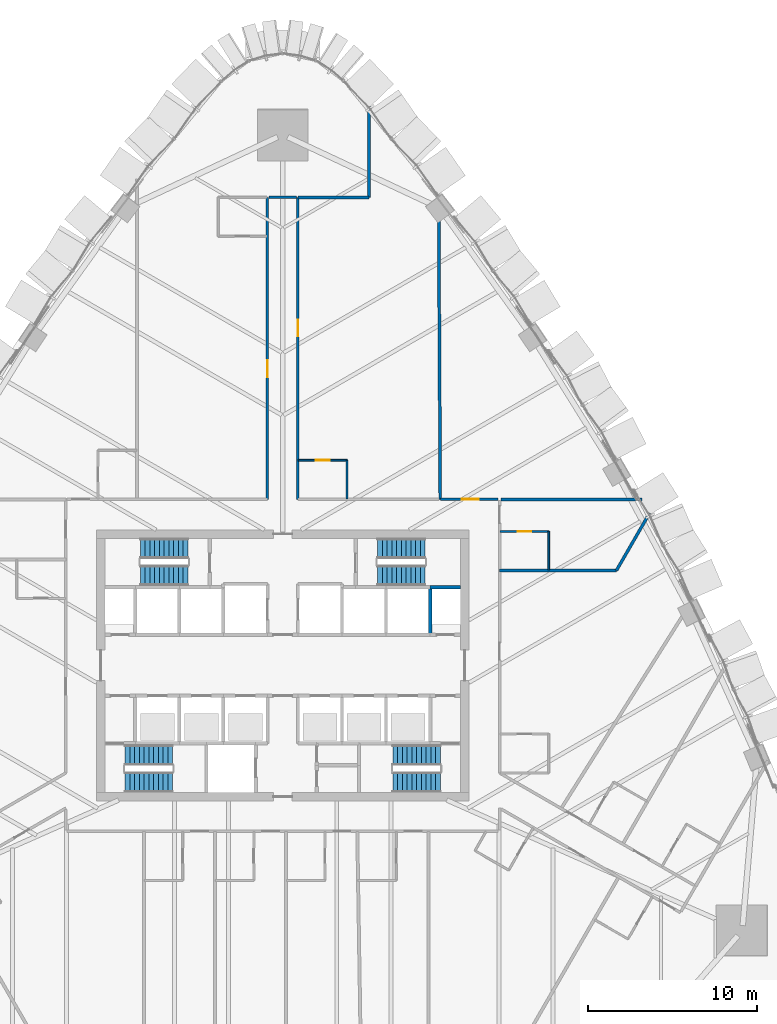
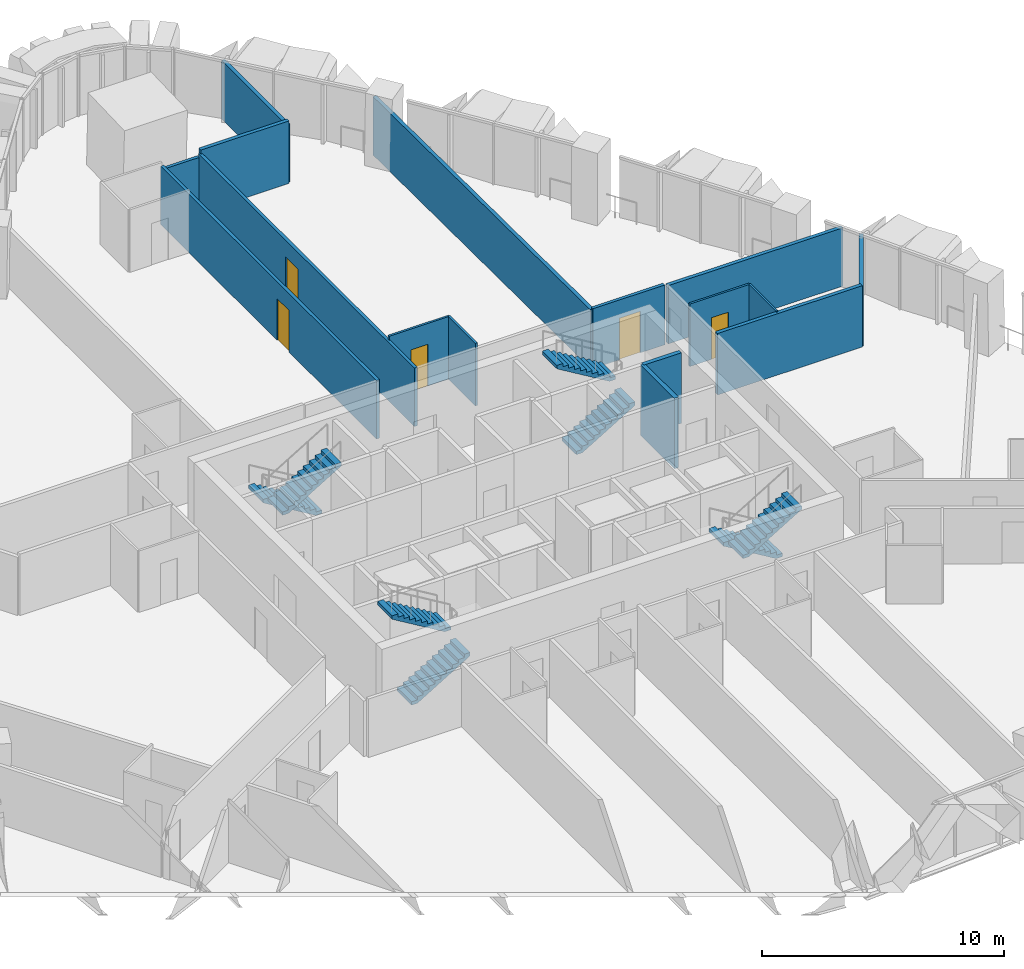
# One storey, part 18 of 23: 16 walls, 8 stair flights, 5 doors, 5 openings, 4 elements without a shape of their own.
"""IFC4 building model written with IfcOpenShell, lengths in metres."""

from ifc_helpers import new_model, si_unit, direction, frame, frame_2d, origin, place, context, subcontext, project, spatial, polyline, rectangle, outline, extrude, material, layer, layer_set, type_object, element, fill, aggregate, save


model = new_model("IFC4")

# Units and contexts
model_context = context("Model", 3, precision=1e-05, world=origin(), true_north=direction((0.0, 1.0)))
body_context = subcontext(model_context, "Body", "Model", "MODEL_VIEW")
ifc_project = project(units=[si_unit("LENGTHUNIT", "METRE"), si_unit("AREAUNIT", "SQUARE_METRE"), si_unit("VOLUMEUNIT", "CUBIC_METRE"), si_unit("PLANEANGLEUNIT", "RADIAN"), si_unit("MASSUNIT", "GRAM", prefix="KILO")], contexts=[model_context])

# Site, building, storey
site_placement = place(None, origin())
site = spatial("IfcSite", under=ifc_project, at=site_placement, CompositionType="ELEMENT")
building_placement = place(site_placement, origin())
building = spatial("IfcBuilding", under=site, at=building_placement, Name="Sierra Prisma Convention Tower", CompositionType="ELEMENT")
storey_placement = place(building_placement, frame((0.0, 0.0, 51.699951171875)))
storey = spatial("IfcBuildingStorey", under=building, at=storey_placement, Name="L08", CompositionType="ELEMENT", Elevation=51.699951171875)

# Wall, opening, door
ifc_material_1 = material(Name="Gypsum board partition", Category="gypsum")
ifc_layer_1 = layer(ifc_material_1, 0.10009765625)
ifc_layer_set_1 = layer_set([ifc_layer_1], Name="Bathroom partition 100")
wall_type_1 = type_object("IfcWallType", Name="Bathroom partition 100", PredefinedType="PARTITIONING", material=ifc_layer_set_1)
wall_1_placement = place(storey_placement, frame((0.929931640625, 12.10009765625, 0.0), z_axis=(0.0, 0.0, 1.0), x_axis=(1.0, 0.0, 0.0)))
wall_1 = element("IfcWall", 1, at=wall_1_placement, inside=storey, type_object=wall_type_1, Name="Partition L08 bath 21", PredefinedType="PARTITIONING", context=body_context, shape_type="SweptSolid", body=[
    extrude(rectangle(XDim=2.8701171875, YDim=0.10009765625, at=frame_2d((1.43505859375, 0.0))), origin(), (0.0, 0.0, 1.0), 3.150146484375),
])
opening_1_placement = place(wall_1_placement, frame((1.034912109375, 0.0, 0.0)))
opening_1 = element("IfcOpeningElement", 2, at=opening_1_placement, cuts=wall_1, Name="Opening L08-D003", PredefinedType="OPENING", context=body_context, shape_type="SweptSolid", body=[
    extrude(rectangle(XDim=0.800048828125, YDim=2.10009765625, at=frame_2d((0.39990234375, 1.050048828125))), frame((0.0, 0.050048828125, 0.0), z_axis=(0.0, -1.0, 0.0), x_axis=(1.0, 0.0, 0.0)), (0.0, 0.0, 1.0), 0.10009765625),
])
ifc_material_2 = material(Name="Solid core timber door leaf", Category="wood")
door_type_1 = type_object("IfcDoorType", Name="Door 800x2100 plain", OperationType="SINGLE_SWING_LEFT", PredefinedType="DOOR", material=ifc_material_2)
door_1_placement = place(opening_1_placement, origin())
door_1 = element("IfcDoor", 3, at=door_1_placement, inside=storey, type_object=door_type_1, Name="Door L08 7", OperationType="SINGLE_SWING_RIGHT", OverallHeight=2.10009765625, OverallWidth=0.800048828125, PredefinedType="DOOR", context=body_context, shape_type="SweptSolid", body=[
    extrude(rectangle(XDim=0.800048828125, YDim=2.10009765625, at=frame_2d((0.39990234375, 1.050048828125))), frame((0.0, 0.02490234375, 0.0), z_axis=(0.0, -1.0, 0.0), x_axis=(1.0, 0.0, 0.0)), (0.0, 0.0, 1.0), 0.050048828125),
])
fill(opening_1, door_1)

# Wall
wall_2_placement = place(storey_placement, frame((3.800048828125, 12.10009765625, 0.0), z_axis=(0.0, 0.0, 1.0), x_axis=(0.0, -1.0, 0.0)))
element("IfcWall", 4, at=wall_2_placement, inside=storey, type_object=wall_type_1, Name="Partition L08 bath 22", PredefinedType="PARTITIONING", context=body_context, shape_type="SweptSolid", body=[
    extrude(rectangle(XDim=2.27001953125, YDim=0.10009765625, at=frame_2d((1.135009765625, 0.0))), origin(), (0.0, 0.0, 1.0), 3.150146484375),
])

# Wall, opening, door
wall_3_placement = place(storey_placement, frame((12.830078125, 7.89990234375, 0.0), z_axis=(0.0, 0.0, 1.0), x_axis=(1.0, 0.0, 0.0)))
wall_3 = element("IfcWall", 5, at=wall_3_placement, inside=storey, type_object=wall_type_1, Name="Partition L08 bath 31", PredefinedType="PARTITIONING", context=body_context, shape_type="SweptSolid", body=[
    extrude(rectangle(XDim=2.869873046875, YDim=0.10009765625, at=frame_2d((1.43505859375, 0.0))), origin(), (0.0, 0.0, 1.0), 3.150146484375),
])
opening_2_placement = place(wall_3_placement, frame((1.034912109375, 0.0, 0.0)))
opening_2 = element("IfcOpeningElement", 6, at=opening_2_placement, cuts=wall_3, Name="Opening L08-D002", PredefinedType="OPENING", context=body_context, shape_type="SweptSolid", body=[
    extrude(rectangle(XDim=0.800048828125, YDim=2.10009765625, at=frame_2d((0.39990234375, 1.050048828125))), frame((0.0, 0.050048828125, 0.0), z_axis=(0.0, -1.0, 0.0), x_axis=(1.0, 0.0, 0.0)), (0.0, 0.0, 1.0), 0.10009765625),
])
door_2_placement = place(opening_2_placement, origin())
door_2 = element("IfcDoor", 7, at=door_2_placement, inside=storey, type_object=door_type_1, Name="Door L08 4", OperationType="SINGLE_SWING_RIGHT", OverallHeight=2.10009765625, OverallWidth=0.800048828125, PredefinedType="DOOR", context=body_context, shape_type="SweptSolid", body=[
    extrude(rectangle(XDim=0.800048828125, YDim=2.10009765625, at=frame_2d((0.39990234375, 1.050048828125))), frame((0.0, 0.02490234375, 0.0), z_axis=(0.0, -1.0, 0.0), x_axis=(1.0, 0.0, 0.0)), (0.0, 0.0, 1.0), 0.050048828125),
])
fill(opening_2, door_2)

# Walls
wall_4_placement = place(storey_placement, frame((15.699951171875, 7.89990234375, 0.0), z_axis=(0.0, 0.0, 1.0), x_axis=(0.0, -1.0, 0.0)))
element("IfcWall", 8, at=wall_4_placement, inside=storey, type_object=wall_type_1, Name="Partition L08 bath 32", PredefinedType="PARTITIONING", context=body_context, shape_type="SweptSolid", body=[
    extrude(rectangle(XDim=2.27001953125, YDim=0.10009765625, at=frame_2d((1.135009765625, 0.0))), origin(), (0.0, 0.0, 1.0), 3.150146484375),
])
ifc_material_3 = material(Name="Concrete C30/37", Category="concrete")
ifc_layer_2 = layer(ifc_material_3, 0.199951171875)
ifc_layer_set_2 = layer_set([ifc_layer_2], Name="Core wall RC 200 C30/37")
wall_type_2 = type_object("IfcWallType", Name="Core wall RC 200 C30/37", PredefinedType="SOLIDWALL", material=ifc_layer_set_2)
wall_5_placement = place(storey_placement, frame((8.699951171875, 4.60009765625, 0.0), z_axis=(0.0, 0.0, 1.0), x_axis=(0.0, -1.0, 0.0)))
element("IfcWall", 9, at=wall_5_placement, inside=storey, type_object=wall_type_2, Name="Core wall L08 66", PredefinedType="SOLIDWALL", context=body_context, shape_type="SweptSolid", body=[
    extrude(rectangle(XDim=2.800048828125, YDim=0.199951171875, at=frame_2d((1.39990234375, 0.0))), origin(), (0.0, 0.0, 1.0), 3.550048828125),
])
wall_6_placement = place(storey_placement, frame((10.5, 4.60009765625, 0.0), z_axis=(0.0, 0.0, 1.0), x_axis=(-1.0, 0.0, 0.0)))
element("IfcWall", 10, at=wall_6_placement, inside=storey, type_object=wall_type_2, Name="Core wall L08 67", PredefinedType="SOLIDWALL", context=body_context, shape_type="SweptSolid", body=[
    extrude(rectangle(XDim=1.800048828125, YDim=0.199951171875, at=frame_2d((0.89990234375, 0.0))), origin(), (0.0, 0.0, 1.0), 3.550048828125),
])

# Wall, opening, door
ifc_material_4 = material(Name="Gypsum board partition", Category="gypsum")
ifc_layer_3 = layer(ifc_material_4, 0.14990234375)
ifc_layer_set_3 = layer_set([ifc_layer_3], Name="Corridor wall 150 gypsum EI 60")
wall_type_3 = type_object("IfcWallType", Name="Corridor wall 150 gypsum EI 60", PredefinedType="PARTITIONING", material=ifc_layer_set_3)
wall_7_placement = place(storey_placement, frame((-0.89990234375, 27.625244140625, 0.0), z_axis=(0.0, 0.0, 1.0), x_axis=(0.0, -1.0, 0.0)))
wall_7 = element("IfcWall", 11, at=wall_7_placement, inside=storey, type_object=wall_type_3, Name="Partition L08 corr 8", PredefinedType="PARTITIONING", context=body_context, shape_type="SweptSolid", body=[
    extrude(rectangle(XDim=17.8251953125, YDim=0.14990234375, at=frame_2d((8.91259765625, 0.0))), origin(), (0.0, 0.0, 1.0), 2.947021484375),
])
opening_3_placement = place(wall_7_placement, frame((9.612548828125, 0.0, 0.0)))
opening_3 = element("IfcOpeningElement", 12, at=opening_3_placement, cuts=wall_7, Name="Opening L08-D043", PredefinedType="OPENING", context=body_context, shape_type="SweptSolid", body=[
    extrude(rectangle(XDim=1.0, YDim=2.10009765625, at=frame_2d((0.5, 1.050048828125))), frame((0.0, 0.074951171875, 0.0), z_axis=(0.0, -1.0, 0.0), x_axis=(1.0, 0.0, 0.0)), (0.0, 0.0, 1.0), 0.14990234375),
])
ifc_material_5 = material(Name="Steel fire door leaf", Category="steel")
door_type_2 = type_object("IfcDoorType", Name="Door 1000x2100 FD30S", OperationType="SINGLE_SWING_LEFT", PredefinedType="DOOR", material=ifc_material_5)
door_3_placement = place(opening_3_placement, origin())
door_3 = element("IfcDoor", 13, at=door_3_placement, inside=storey, type_object=door_type_2, Name="Door L08 8", OperationType="SINGLE_SWING_LEFT", OverallHeight=2.10009765625, OverallWidth=1.0, PredefinedType="DOOR", context=body_context, shape_type="SweptSolid", body=[
    extrude(rectangle(XDim=1.0, YDim=2.10009765625, at=frame_2d((0.5, 1.050048828125))), frame((0.0, 0.02490234375, 0.0), z_axis=(0.0, -1.0, 0.0), x_axis=(1.0, 0.0, 0.0)), (0.0, 0.0, 1.0), 0.050048828125),
])
fill(opening_3, door_3)

# Wall
wall_8_placement = place(storey_placement, frame((0.820068359375, 27.625244140625, 0.0), z_axis=(0.0, 0.0, 1.0), x_axis=(-1.0, 0.0, 0.0)))
element("IfcWall", 14, at=wall_8_placement, inside=storey, type_object=wall_type_3, Name="Partition L08 corr 10", PredefinedType="PARTITIONING", context=body_context, shape_type="SweptSolid", body=[
    extrude(rectangle(XDim=1.64013671875, YDim=0.14990234375, at=frame_2d((0.820068359375, 0.0))), origin(), (0.0, 0.0, 1.0), 2.797119140625),
])

# Wall, opening, door
wall_9_placement = place(storey_placement, frame((0.89990234375, 9.800048828125, 0.0), z_axis=(0.0, 0.0, 1.0), x_axis=(0.0, 1.0, 0.0)))
wall_9 = element("IfcWall", 15, at=wall_9_placement, inside=storey, type_object=wall_type_3, Name="Partition L08 corr 12", PredefinedType="PARTITIONING", context=body_context, shape_type="SweptSolid", body=[
    extrude(rectangle(XDim=17.8251953125, YDim=0.14990234375, at=frame_2d((8.91259765625, 0.0))), origin(), (0.0, 0.0, 1.0), 2.947021484375),
])
opening_4_placement = place(wall_9_placement, frame((9.61279296875, 0.0, 0.0)))
opening_4 = element("IfcOpeningElement", 16, at=opening_4_placement, cuts=wall_9, Name="Opening L08-D042", PredefinedType="OPENING", context=body_context, shape_type="SweptSolid", body=[
    extrude(rectangle(XDim=1.0, YDim=2.10009765625, at=frame_2d((0.5, 1.050048828125))), frame((0.0, 0.074951171875, 0.0), z_axis=(0.0, -1.0, 0.0), x_axis=(1.0, 0.0, 0.0)), (0.0, 0.0, 1.0), 0.14990234375),
])
door_4_placement = place(opening_4_placement, origin())
door_4 = element("IfcDoor", 17, at=door_4_placement, inside=storey, type_object=door_type_2, Name="Door L08 6", OperationType="SINGLE_SWING_RIGHT", OverallHeight=2.10009765625, OverallWidth=1.0, PredefinedType="DOOR", context=body_context, shape_type="SweptSolid", body=[
    extrude(rectangle(XDim=1.0, YDim=2.10009765625, at=frame_2d((0.5, 1.050048828125))), frame((0.0, 0.02490234375, 0.0), z_axis=(0.0, -1.0, 0.0), x_axis=(1.0, 0.0, 0.0)), (0.0, 0.0, 1.0), 0.050048828125),
])
fill(opening_4, door_4)

wall_10_placement = place(storey_placement, frame((12.719970703125, 9.800048828125, 0.0), z_axis=(0.0, 0.0, 1.0), x_axis=(-1.0, 0.0, 0.0)))
wall_10 = element("IfcWall", 18, at=wall_10_placement, inside=storey, type_object=wall_type_3, Name="Partition L08 corr 13", PredefinedType="PARTITIONING", context=body_context, shape_type="SweptSolid", body=[
    extrude(rectangle(XDim=3.419921875, YDim=0.14990234375, at=frame_2d((1.7099609375, 0.0))), origin(), (0.0, 0.0, 1.0), 3.01708984375),
])
opening_5_placement = place(wall_10_placement, frame((1.159912109375, 0.0, 0.0)))
opening_5 = element("IfcOpeningElement", 19, at=opening_5_placement, cuts=wall_10, Name="Opening L08-D041", PredefinedType="OPENING", context=body_context, shape_type="SweptSolid", body=[
    extrude(rectangle(XDim=1.0, YDim=2.10009765625, at=frame_2d((0.5, 1.050048828125))), frame((0.0, 0.074951171875, 0.0), z_axis=(0.0, -1.0, 0.0), x_axis=(1.0, 0.0, 0.0)), (0.0, 0.0, 1.0), 0.14990234375),
])
door_5_placement = place(opening_5_placement, origin())
door_5 = element("IfcDoor", 20, at=door_5_placement, inside=storey, type_object=door_type_2, Name="Door L08 5", OperationType="SINGLE_SWING_RIGHT", OverallHeight=2.10009765625, OverallWidth=1.0, PredefinedType="DOOR", context=body_context, shape_type="SweptSolid", body=[
    extrude(rectangle(XDim=1.0, YDim=2.10009765625, at=frame_2d((0.5, 1.050048828125))), frame((0.0, 0.02490234375, 0.0), z_axis=(0.0, -1.0, 0.0), x_axis=(1.0, 0.0, 0.0)), (0.0, 0.0, 1.0), 0.050048828125),
])
fill(opening_5, door_5)

# Walls
ifc_material_6 = material(Name="Acoustic gypsum board partition", Category="gypsum")
ifc_layer_4 = layer(ifc_material_6, 0.175048828125)
ifc_layer_set_4 = layer_set([ifc_layer_4], Name="Guest room party wall 175 acoustic EI 60")
wall_type_4 = type_object("IfcWallType", Name="Guest room party wall 175 acoustic EI 60", PredefinedType="PARTITIONING", material=ifc_layer_set_4)
wall_11_placement = place(storey_placement, frame((0.89990234375, 27.625244140625, 0.0), z_axis=(0.0, 0.0, 1.0), x_axis=(1.0, 0.0, 0.0)))
element("IfcWall", 21, at=wall_11_placement, inside=storey, type_object=wall_type_4, Name="Partition L08 hparty 13", PredefinedType="PARTITIONING", context=body_context, shape_type="SweptSolid", body=[
    extrude(rectangle(XDim=4.2001953125, YDim=0.175048828125, at=frame_2d((2.10009765625, 0.0))), origin(), (0.0, 0.0, 1.0), 3.150146484375),
])
wall_12_placement = place(storey_placement, frame((5.10009765625, 27.625244140625, 0.0), z_axis=(0.0, 0.0, 1.0), x_axis=(0.0, 1.0, 0.0)))
element("IfcWall", 22, at=wall_12_placement, inside=storey, type_object=wall_type_4, Name="Partition L08 hparty 14", PredefinedType="PARTITIONING", context=body_context, shape_type="SweptSolid", body=[
    extrude(rectangle(XDim=5.350830078125, YDim=0.175048828125, at=frame_2d((2.67529296875, 0.0))), origin(), (0.0, 0.0, 1.0), 2.93408203125),
])
wall_13_placement = place(storey_placement, frame((9.2041015625, 27.5859375, 0.0), z_axis=(0.0, 0.0, 1.0), x_axis=(0.00539449399, -0.999985449611, 0.0)))
element("IfcWall", 23, at=wall_13_placement, inside=storey, type_object=wall_type_4, Name="Partition L08 hparty 17", PredefinedType="PARTITIONING", context=body_context, shape_type="SweptSolid", body=[
    extrude(rectangle(XDim=17.7861328125, YDim=0.175048828125, at=frame_2d((8.89306640625, 0.0))), origin(), (0.0, 0.0, 1.0), 2.947021484375),
])
wall_14_placement = place(storey_placement, frame((12.800048828125, 5.60009765625, 0.0), z_axis=(0.0, 0.0, 1.0), x_axis=(1.0, 0.0, 0.0)))
element("IfcWall", 24, at=wall_14_placement, inside=storey, type_object=wall_type_4, Name="Partition L08 hparty 20", PredefinedType="PARTITIONING", context=body_context, shape_type="SweptSolid", body=[
    extrude(rectangle(XDim=6.899658203125, YDim=0.175048828125, at=frame_2d((3.44970703125, 0.0))), origin(), (0.0, 0.0, 1.0), 3.093017578125),
])
wall_15_placement = place(storey_placement, frame((19.69970703125, 5.60009765625, 0.0), z_axis=(0.0, 0.0, 1.0), x_axis=(0.500038841519, 0.866002977462, 0.0)))
element("IfcWall", 25, at=wall_15_placement, inside=storey, type_object=wall_type_4, Name="Partition L08 hparty 21", PredefinedType="PARTITIONING", context=body_context, shape_type="SweptSolid", body=[
    extrude(rectangle(XDim=3.918701171875, YDim=0.175048828125, at=frame_2d((1.95947265625, 0.0))), origin(), (0.0, 0.0, 1.0), 2.93408203125),
])
wall_16_placement = place(storey_placement, frame((12.8798828125, 9.800048828125, 0.0), z_axis=(0.0, 0.0, 1.0), x_axis=(1.0, 0.0, 0.0)))
element("IfcWall", 26, at=wall_16_placement, inside=storey, type_object=wall_type_4, Name="Partition L08 hparty 22", PredefinedType="PARTITIONING", context=body_context, shape_type="SweptSolid", body=[
    extrude(rectangle(XDim=8.332275390625, YDim=0.175048828125, at=frame_2d((4.166015625, 0.0))), origin(), (0.0, 0.0, 1.0), 2.93408203125),
])

# Stair, stair flights
ifc_material_7 = material(Name="Concrete C30/37", Category="concrete")
stair_type = type_object("IfcStairType", Name="Stair dog-leg 1200 RC", PredefinedType="HALF_TURN_STAIR", material=ifc_material_7)
stair_1_placement = place(storey_placement, origin())
stair_1 = element("IfcStair", 27, at=stair_1_placement, inside=storey, type_object=stair_type, Name="L08 S1", PredefinedType="HALF_TURN_STAIR")
ifc_material_8 = material(Name="Concrete C30/37", Category="concrete")
stair_flight_type = type_object("IfcStairFlightType", Name="Stair flight RC 1200", PredefinedType="STRAIGHT", material=ifc_material_8)
stair_flight_1_placement = place(storey_placement, frame((-9.300048828125, -6.89990234375, 0.0), z_axis=(0.0, 0.0, 1.0), x_axis=(1.0, 0.0, 0.0)))
stair_flight_1 = element("IfcStairFlight", 28, at=stair_flight_1_placement, type_object=stair_flight_type, Name="S1 flight 1", NumberOfRisers=11, NumberOfTreads=10, PredefinedType="STRAIGHT", RiserHeight=0.168181818, TreadLength=0.28, context=body_context, shape_type="SweptSolid", body=[
    extrude(outline(polyline([(0.0, 0.0), (0.0, 0.168212890625), (0.280029296875, 0.168212890625), (0.280029296875, 0.33642578125), (0.56005859375, 0.33642578125), (0.56005859375, 0.504638671875), (0.840087890625, 0.504638671875), (0.840087890625, 0.672607421875), (1.1201171875, 0.672607421875), (1.1201171875, 0.8408203125), (1.39990234375, 0.8408203125), (1.39990234375, 1.009033203125), (1.679931640625, 1.009033203125), (1.679931640625, 1.17724609375), (1.9599609375, 1.17724609375), (1.9599609375, 1.345458984375), (2.239990234375, 1.345458984375), (2.239990234375, 1.513671875), (2.52001953125, 1.513671875), (2.52001953125, 1.681884765625), (2.800048828125, 1.681884765625), (2.800048828125, 1.85009765625), (2.800048828125, 1.5068359375), (0.291015625, 0.0), (0.0, 0.0)])), frame((0.0, 0.60009765625, 0.0), z_axis=(0.0, -1.0, 0.0), x_axis=(1.0, 0.0, 0.0)), (0.0, 0.0, 1.0), 1.199951171875),
])
stair_flight_2_placement = place(storey_placement, frame((-6.5, -5.300048828125, 1.85009765625), z_axis=(0.0, 0.0, 1.0), x_axis=(-1.0, 0.0, 0.0)))
stair_flight_2 = element("IfcStairFlight", 29, at=stair_flight_2_placement, type_object=stair_flight_type, Name="S1 flight 2", NumberOfRisers=11, NumberOfTreads=10, PredefinedType="STRAIGHT", RiserHeight=0.168181818, TreadLength=0.28, context=body_context, shape_type="SweptSolid", body=[
    extrude(outline(polyline([(0.0, 0.0), (0.0, 0.168212890625), (0.280029296875, 0.168212890625), (0.280029296875, 0.33642578125), (0.56005859375, 0.33642578125), (0.56005859375, 0.504638671875), (0.840087890625, 0.504638671875), (0.840087890625, 0.672607421875), (1.1201171875, 0.672607421875), (1.1201171875, 0.8408203125), (1.39990234375, 0.8408203125), (1.39990234375, 1.009033203125), (1.679931640625, 1.009033203125), (1.679931640625, 1.17724609375), (1.9599609375, 1.17724609375), (1.9599609375, 1.345458984375), (2.239990234375, 1.345458984375), (2.239990234375, 1.513671875), (2.52001953125, 1.513671875), (2.52001953125, 1.681884765625), (2.800048828125, 1.681884765625), (2.800048828125, 1.85009765625), (2.800048828125, 1.5068359375), (0.291015625, 0.0), (0.0, 0.0)])), frame((0.0, 0.60009765625, 0.0), z_axis=(0.0, -1.0, 0.0), x_axis=(1.0, 0.0, 0.0)), (0.0, 0.0, 1.0), 1.199951171875),
])
aggregate(stair_1, [stair_flight_1, stair_flight_2])

stair_2_placement = place(storey_placement, origin())
stair_2 = element("IfcStair", 30, at=stair_2_placement, inside=storey, type_object=stair_type, Name="L08 S2", PredefinedType="HALF_TURN_STAIR")
stair_flight_3_placement = place(storey_placement, frame((9.300048828125, -5.300048828125, 0.0), z_axis=(0.0, 0.0, 1.0), x_axis=(-1.0, 0.0, 0.0)))
stair_flight_3 = element("IfcStairFlight", 31, at=stair_flight_3_placement, type_object=stair_flight_type, Name="S2 flight 1", NumberOfRisers=11, NumberOfTreads=10, PredefinedType="STRAIGHT", RiserHeight=0.168181818, TreadLength=0.28, context=body_context, shape_type="SweptSolid", body=[
    extrude(outline(polyline([(0.0, 0.0), (0.0, 0.168212890625), (0.280029296875, 0.168212890625), (0.280029296875, 0.33642578125), (0.56005859375, 0.33642578125), (0.56005859375, 0.504638671875), (0.840087890625, 0.504638671875), (0.840087890625, 0.672607421875), (1.1201171875, 0.672607421875), (1.1201171875, 0.8408203125), (1.39990234375, 0.8408203125), (1.39990234375, 1.009033203125), (1.679931640625, 1.009033203125), (1.679931640625, 1.17724609375), (1.9599609375, 1.17724609375), (1.9599609375, 1.345458984375), (2.239990234375, 1.345458984375), (2.239990234375, 1.513671875), (2.52001953125, 1.513671875), (2.52001953125, 1.681884765625), (2.800048828125, 1.681884765625), (2.800048828125, 1.85009765625), (2.800048828125, 1.5068359375), (0.291015625, 0.0), (0.0, 0.0)])), frame((0.0, 0.60009765625, 0.0), z_axis=(0.0, -1.0, 0.0), x_axis=(1.0, 0.0, 0.0)), (0.0, 0.0, 1.0), 1.199951171875),
])
stair_flight_4_placement = place(storey_placement, frame((6.5, -6.89990234375, 1.85009765625), z_axis=(0.0, 0.0, 1.0), x_axis=(1.0, 0.0, 0.0)))
stair_flight_4 = element("IfcStairFlight", 32, at=stair_flight_4_placement, type_object=stair_flight_type, Name="S2 flight 2", NumberOfRisers=11, NumberOfTreads=10, PredefinedType="STRAIGHT", RiserHeight=0.168181818, TreadLength=0.28, context=body_context, shape_type="SweptSolid", body=[
    extrude(outline(polyline([(0.0, 0.0), (0.0, 0.168212890625), (0.280029296875, 0.168212890625), (0.280029296875, 0.33642578125), (0.56005859375, 0.33642578125), (0.56005859375, 0.504638671875), (0.840087890625, 0.504638671875), (0.840087890625, 0.672607421875), (1.1201171875, 0.672607421875), (1.1201171875, 0.8408203125), (1.39990234375, 0.8408203125), (1.39990234375, 1.009033203125), (1.679931640625, 1.009033203125), (1.679931640625, 1.17724609375), (1.9599609375, 1.17724609375), (1.9599609375, 1.345458984375), (2.239990234375, 1.345458984375), (2.239990234375, 1.513671875), (2.52001953125, 1.513671875), (2.52001953125, 1.681884765625), (2.800048828125, 1.681884765625), (2.800048828125, 1.85009765625), (2.800048828125, 1.5068359375), (0.291015625, 0.0), (0.0, 0.0)])), frame((0.0, 0.60009765625, 0.0), z_axis=(0.0, -1.0, 0.0), x_axis=(1.0, 0.0, 0.0)), (0.0, 0.0, 1.0), 1.199951171875),
])
aggregate(stair_2, [stair_flight_3, stair_flight_4])

stair_3_placement = place(storey_placement, origin())
stair_3 = element("IfcStair", 33, at=stair_3_placement, inside=storey, type_object=stair_type, Name="L08 S3", PredefinedType="HALF_TURN_STAIR")
stair_flight_5_placement = place(storey_placement, frame((-5.60009765625, 6.89990234375, 0.0), z_axis=(0.0, 0.0, 1.0), x_axis=(-1.0, 0.0, 0.0)))
stair_flight_5 = element("IfcStairFlight", 34, at=stair_flight_5_placement, type_object=stair_flight_type, Name="S3 flight 1", NumberOfRisers=11, NumberOfTreads=10, PredefinedType="STRAIGHT", RiserHeight=0.168181818, TreadLength=0.28, context=body_context, shape_type="SweptSolid", body=[
    extrude(outline(polyline([(0.0, 0.0), (0.0, 0.168212890625), (0.280029296875, 0.168212890625), (0.280029296875, 0.33642578125), (0.56005859375, 0.33642578125), (0.56005859375, 0.504638671875), (0.840087890625, 0.504638671875), (0.840087890625, 0.672607421875), (1.1201171875, 0.672607421875), (1.1201171875, 0.8408203125), (1.39990234375, 0.8408203125), (1.39990234375, 1.009033203125), (1.679931640625, 1.009033203125), (1.679931640625, 1.17724609375), (1.9599609375, 1.17724609375), (1.9599609375, 1.345458984375), (2.239990234375, 1.345458984375), (2.239990234375, 1.513671875), (2.52001953125, 1.513671875), (2.52001953125, 1.681884765625), (2.800048828125, 1.681884765625), (2.800048828125, 1.85009765625), (2.800048828125, 1.5068359375), (0.291015625, 0.0), (0.0, 0.0)])), frame((0.0, 0.60009765625, 0.0), z_axis=(0.0, -1.0, 0.0), x_axis=(1.0, 0.0, 0.0)), (0.0, 0.0, 1.0), 1.199951171875),
])
stair_flight_6_placement = place(storey_placement, frame((-8.39990234375, 5.300048828125, 1.85009765625), z_axis=(0.0, 0.0, 1.0), x_axis=(1.0, 0.0, 0.0)))
stair_flight_6 = element("IfcStairFlight", 35, at=stair_flight_6_placement, type_object=stair_flight_type, Name="S3 flight 2", NumberOfRisers=11, NumberOfTreads=10, PredefinedType="STRAIGHT", RiserHeight=0.168181818, TreadLength=0.28, context=body_context, shape_type="SweptSolid", body=[
    extrude(outline(polyline([(0.0, 0.0), (0.0, 0.168212890625), (0.280029296875, 0.168212890625), (0.280029296875, 0.33642578125), (0.56005859375, 0.33642578125), (0.56005859375, 0.504638671875), (0.840087890625, 0.504638671875), (0.840087890625, 0.672607421875), (1.1201171875, 0.672607421875), (1.1201171875, 0.8408203125), (1.39990234375, 0.8408203125), (1.39990234375, 1.009033203125), (1.679931640625, 1.009033203125), (1.679931640625, 1.17724609375), (1.9599609375, 1.17724609375), (1.9599609375, 1.345458984375), (2.239990234375, 1.345458984375), (2.239990234375, 1.513671875), (2.52001953125, 1.513671875), (2.52001953125, 1.681884765625), (2.800048828125, 1.681884765625), (2.800048828125, 1.85009765625), (2.800048828125, 1.5068359375), (0.291015625, 0.0), (0.0, 0.0)])), frame((0.0, 0.60009765625, 0.0), z_axis=(0.0, -1.0, 0.0), x_axis=(1.0, 0.0, 0.0)), (0.0, 0.0, 1.0), 1.199951171875),
])
aggregate(stair_3, [stair_flight_5, stair_flight_6])

stair_4_placement = place(storey_placement, origin())
stair_4 = element("IfcStair", 36, at=stair_4_placement, inside=storey, type_object=stair_type, Name="L08 S4", PredefinedType="HALF_TURN_STAIR")
stair_flight_7_placement = place(storey_placement, frame((5.60009765625, 5.300048828125, 0.0), z_axis=(0.0, 0.0, 1.0), x_axis=(1.0, 0.0, 0.0)))
stair_flight_7 = element("IfcStairFlight", 37, at=stair_flight_7_placement, type_object=stair_flight_type, Name="S4 flight 1", NumberOfRisers=11, NumberOfTreads=10, PredefinedType="STRAIGHT", RiserHeight=0.168181818, TreadLength=0.28, context=body_context, shape_type="SweptSolid", body=[
    extrude(outline(polyline([(0.0, 0.0), (0.0, 0.168212890625), (0.280029296875, 0.168212890625), (0.280029296875, 0.33642578125), (0.56005859375, 0.33642578125), (0.56005859375, 0.504638671875), (0.840087890625, 0.504638671875), (0.840087890625, 0.672607421875), (1.1201171875, 0.672607421875), (1.1201171875, 0.8408203125), (1.39990234375, 0.8408203125), (1.39990234375, 1.009033203125), (1.679931640625, 1.009033203125), (1.679931640625, 1.17724609375), (1.9599609375, 1.17724609375), (1.9599609375, 1.345458984375), (2.239990234375, 1.345458984375), (2.239990234375, 1.513671875), (2.52001953125, 1.513671875), (2.52001953125, 1.681884765625), (2.800048828125, 1.681884765625), (2.800048828125, 1.85009765625), (2.800048828125, 1.5068359375), (0.291015625, 0.0), (0.0, 0.0)])), frame((0.0, 0.60009765625, 0.0), z_axis=(0.0, -1.0, 0.0), x_axis=(1.0, 0.0, 0.0)), (0.0, 0.0, 1.0), 1.199951171875),
])
stair_flight_8_placement = place(storey_placement, frame((8.39990234375, 6.89990234375, 1.85009765625), z_axis=(0.0, 0.0, 1.0), x_axis=(-1.0, 0.0, 0.0)))
stair_flight_8 = element("IfcStairFlight", 38, at=stair_flight_8_placement, type_object=stair_flight_type, Name="S4 flight 2", NumberOfRisers=11, NumberOfTreads=10, PredefinedType="STRAIGHT", RiserHeight=0.168181818, TreadLength=0.28, context=body_context, shape_type="SweptSolid", body=[
    extrude(outline(polyline([(0.0, 0.0), (0.0, 0.168212890625), (0.280029296875, 0.168212890625), (0.280029296875, 0.33642578125), (0.56005859375, 0.33642578125), (0.56005859375, 0.504638671875), (0.840087890625, 0.504638671875), (0.840087890625, 0.672607421875), (1.1201171875, 0.672607421875), (1.1201171875, 0.8408203125), (1.39990234375, 0.8408203125), (1.39990234375, 1.009033203125), (1.679931640625, 1.009033203125), (1.679931640625, 1.17724609375), (1.9599609375, 1.17724609375), (1.9599609375, 1.345458984375), (2.239990234375, 1.345458984375), (2.239990234375, 1.513671875), (2.52001953125, 1.513671875), (2.52001953125, 1.681884765625), (2.800048828125, 1.681884765625), (2.800048828125, 1.85009765625), (2.800048828125, 1.5068359375), (0.291015625, 0.0), (0.0, 0.0)])), frame((0.0, 0.60009765625, 0.0), z_axis=(0.0, -1.0, 0.0), x_axis=(1.0, 0.0, 0.0)), (0.0, 0.0, 1.0), 1.199951171875),
])
aggregate(stair_4, [stair_flight_7, stair_flight_8])

save(model, "model.ifc")
